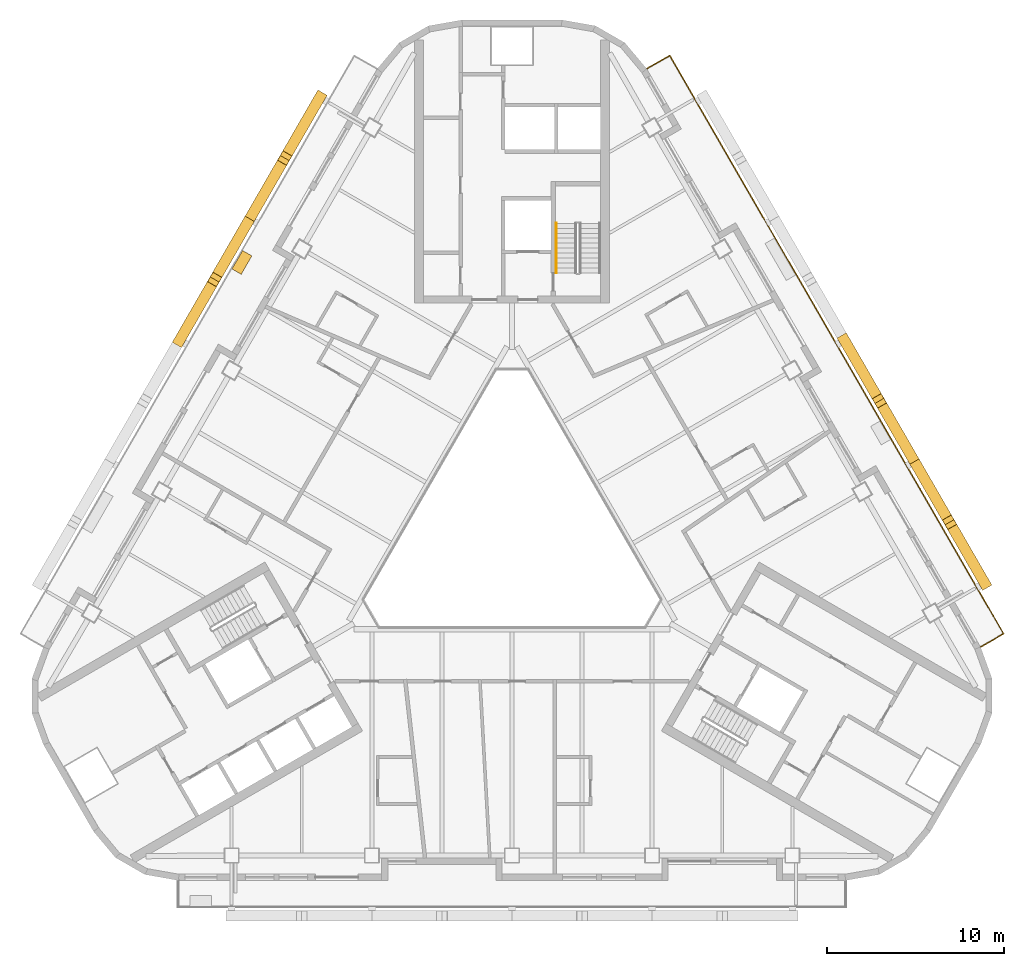
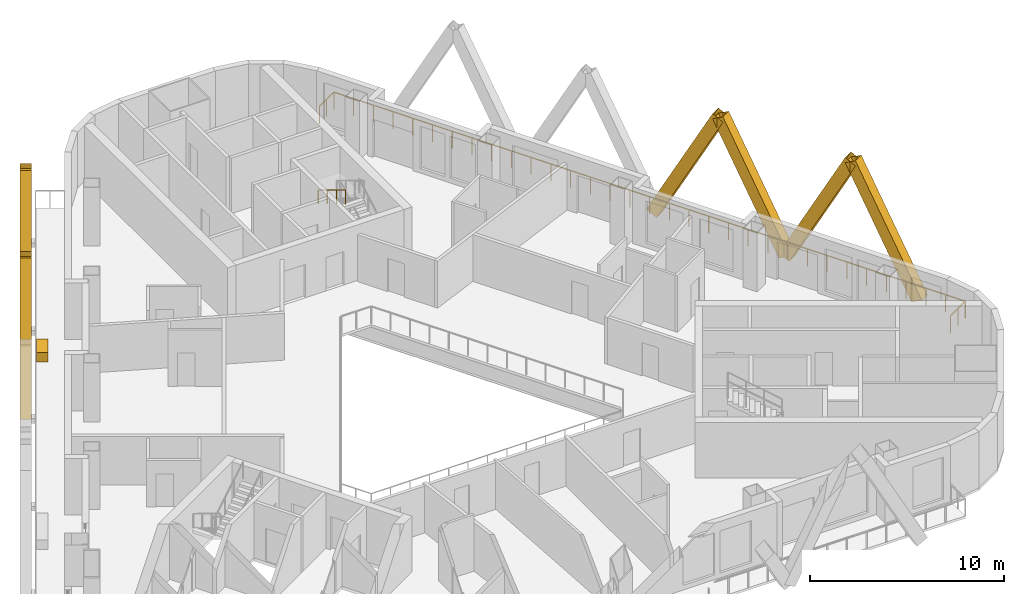
# One storey, part 12 of 13: 8 shading devices, 2 railings, 1 covering.
"""IFC4 building model written with IfcOpenShell, lengths in metres."""

from ifc_helpers import new_model, si_unit, direction, frame, origin, origin_2d, place, context, subcontext, project, spatial, rectangle, hollow_rectangle, circle, extrude, material, material_profile, profile_set, type_object, element, save


model = new_model("IFC4")

# Units and contexts
model_context = context("Model", 3, precision=1e-05, world=origin(), true_north=direction((0.0, 1.0)))
body_context = subcontext(model_context, "Body", "Model", "MODEL_VIEW")
ifc_project = project(units=[si_unit("LENGTHUNIT", "METRE"), si_unit("AREAUNIT", "SQUARE_METRE"), si_unit("VOLUMEUNIT", "CUBIC_METRE"), si_unit("PLANEANGLEUNIT", "RADIAN"), si_unit("MASSUNIT", "GRAM", prefix="KILO")], contexts=[model_context])

# Site, building, storey
site_placement = place(None, origin())
site = spatial("IfcSite", under=ifc_project, at=site_placement, CompositionType="ELEMENT")
building_placement = place(site_placement, origin())
building = spatial("IfcBuilding", under=site, at=building_placement, Name="Apuvela Tower Hotel", CompositionType="ELEMENT")
storey_placement = place(building_placement, frame((0.0, 0.0, 161.39990234375)))
storey = spatial("IfcBuildingStorey", under=building, at=storey_placement, Name="L38", CompositionType="ELEMENT", Elevation=161.39990234375)

# Railing
ifc_material_1 = material(Name="Stainless steel 316 handrail", Category="steel")
railing_type_1 = type_object("IfcRailingType", Name="COR-HANDRAIL-900", PredefinedType="HANDRAIL", material=ifc_material_1)
railing_1_placement = place(storey_placement, frame((2.5, 17.39990234375, 2.018310546875)))
element("IfcRailing", 1, at=railing_1_placement, inside=storey, type_object=railing_type_1, Name="L38 ST1 stair handrail 2", PredefinedType="HANDRAIL", context=body_context, shape_type="SweptSolid", body=[
    extrude(circle(Radius=0.02392578125, at=origin_2d()), frame((0.0, 0.0, 0.8759765625), z_axis=(0.0, -0.857222391501, 0.514946377315), x_axis=(1.0, 0.0, 0.0)), (0.0, 0.0, 1.0), 3.26611328125),
    extrude(rectangle(XDim=0.0419921875, YDim=0.0419921875, at=origin_2d()), origin(), (0.0, 0.0, 1.0), 0.851806640625),
    extrude(rectangle(XDim=0.0419921875, YDim=0.0419921875, at=origin_2d()), frame((0.0, -0.933349609375, 0.560546875)), (0.0, 0.0, 1.0), 0.851806640625),
    extrude(rectangle(XDim=0.0419921875, YDim=0.0419921875, at=origin_2d()), frame((0.0, -1.866455078125, 1.121337890625)), (0.0, 0.0, 1.0), 0.851806640625),
    extrude(rectangle(XDim=0.0419921875, YDim=0.0419921875, at=origin_2d()), frame((0.0, -2.7998046875, 1.681884765625)), (0.0, 0.0, 1.0), 0.851806640625),
])

# Shading devices
ifc_material_2 = material(Name="Aluminium 6063-T6, black anodised", Category="aluminium")
ifc_material_profile = material_profile(ifc_material_2, hollow_rectangle(XDim=0.60009765625, YDim=0.699951171875, WallThickness=0.011962890625, at=origin_2d()), Name="AL BOX 700x600x12")
ifc_profile_set = profile_set([ifc_material_profile], Name="Aluminium 6063-T6, black anodised")
shading_device_type = type_object("IfcShadingDeviceType", Name="ENV-FIN-700x600", PredefinedType="USERDEFINED", material=ifc_profile_set)
for number, where, z_axis, x_axis, name in (
    (2, (26.632080078125, -2.8681640625, -0.099853515625), (-0.235463880167, 0.407797827568, 0.882189148067), (-0.866005453737, -0.500034552904, 0.0), "Lattice fin NE353"),
    (3, (22.68212890625, 3.973388671875, -0.099853515625), (0.235433593518, -0.407824887177, 0.882184722404), (0.866047669374, 0.499961432884, 0.0), "Lattice fin NE354"),
    (4, (22.68212890625, 3.973388671875, -0.099853515625), (-0.235461085354, 0.407822092458, 0.882178677019), (-0.866020906874, -0.500007788796, 0.0), "Lattice fin NE355"),
):
    element("IfcShadingDevice", number, at=place(storey_placement, frame(where, z_axis=z_axis, x_axis=x_axis)), inside=storey, type_object=shading_device_type, Name=name, ObjectType="FIN", PredefinedType="USERDEFINED", context=body_context, shape_type="SweptSolid", body=[
        extrude(hollow_rectangle(XDim=0.60009765625, YDim=0.699951171875, WallThickness=0.011962890625, at=origin_2d()), origin(), (0.0, 0.0, 1.0), 8.38818359375),
    ])
shading_device_placement = place(storey_placement, frame((18.732177734375, 10.81494140625, -0.099853515625), z_axis=(0.235436388043, -0.407800622186, 0.882195193667), x_axis=(0.866032218625, 0.499988196164, 0.0)))
element("IfcShadingDevice", 5, at=shading_device_placement, inside=storey, type_object=shading_device_type, Name="Lattice fin NE356", ObjectType="FIN", PredefinedType="USERDEFINED", context=body_context, shape_type="SweptSolid", body=[
    extrude(hollow_rectangle(XDim=0.60009765625, YDim=0.699951171875, WallThickness=0.011962890625, at=origin_2d()), origin(), (0.0, 0.0, 1.0), 8.387939453125),
])
for number, where, z_axis, x_axis, name in (
    (6, (-10.83203125, 24.498291015625, -0.099853515625), (-0.235461085354, -0.407822092458, 0.882178677019), (0.866020906874, -0.500007788796, 0.0), "Lattice fin NW401"),
    (7, (-14.781982421875, 17.656494140625, -0.099853515625), (0.235433593518, 0.407824887177, 0.882184722404), (-0.866047669374, 0.499961432884, 0.0), "Lattice fin NW402"),
    (8, (-14.781982421875, 17.656494140625, -0.099853515625), (-0.235463880167, -0.407797827568, 0.882189148067), (0.866005453737, -0.500034552904, 0.0), "Lattice fin NW403"),
    (9, (-18.732177734375, 10.81494140625, -0.099853515625), (0.235461085354, 0.407822092458, 0.882178677019), (-0.866020906874, 0.500007788796, 0.0), "Lattice fin NW404"),
):
    element("IfcShadingDevice", number, at=place(storey_placement, frame(where, z_axis=z_axis, x_axis=x_axis)), inside=storey, type_object=shading_device_type, Name=name, ObjectType="FIN", PredefinedType="USERDEFINED", context=body_context, shape_type="SweptSolid", body=[
        extrude(hollow_rectangle(XDim=0.60009765625, YDim=0.699951171875, WallThickness=0.011962890625, at=origin_2d()), origin(), (0.0, 0.0, 1.0), 8.38818359375),
    ])

# Railing
ifc_material_3 = material(Name="Stainless steel 316 rail with laminated glass infill", Category="steel")
railing_type_2 = type_object("IfcRailingType", Name="ENV-GUARD-1100", PredefinedType="GUARDRAIL", material=ifc_material_3)
railing_2_placement = place(storey_placement, frame((26.407958984375, -6.47998046875, 0.0)))
element("IfcRailing", 10, at=railing_2_placement, inside=storey, type_object=railing_type_2, Name="Balcony guard NE L38", PredefinedType="GUARDRAIL", context=body_context, shape_type="SweptSolid", body=[
    extrude(rectangle(XDim=0.050048828125, YDim=0.050048828125, at=origin_2d()), frame((0.0, 0.0, 1.0751953125), z_axis=(0.866031096941, 0.499990139034, 0.0), x_axis=(-0.499990139034, 0.866031096941, 0.0)), (0.0, 0.0, 1.0), 1.5),
    extrude(rectangle(XDim=0.050048828125, YDim=0.050048828125, at=origin_2d()), frame((1.299072265625, 0.75, 1.0751953125), z_axis=(-0.500000437506, 0.86602515119, 0.0), x_axis=(-0.86602515119, -0.500000437506, 0.0)), (0.0, 0.0, 1.0), 37.6318359375),
    extrude(rectangle(XDim=0.050048828125, YDim=0.050048828125, at=origin_2d()), frame((-17.516845703125, 33.340087890625, 1.0751953125), z_axis=(-0.86599040064, -0.500060622324, 0.0), x_axis=(0.500060622324, -0.86599040064, 0.0)), (0.0, 0.0, 1.0), 1.499755859375),
    extrude(rectangle(XDim=0.0400390625, YDim=0.0400390625, at=origin_2d()), origin(), (0.0, 0.0, 1.0), 1.050048828125),
    extrude(rectangle(XDim=0.0400390625, YDim=0.0400390625, at=origin_2d()), frame((0.6494140625, 0.375, 0.0)), (0.0, 0.0, 1.0), 1.050048828125),
    extrude(rectangle(XDim=0.0400390625, YDim=0.0400390625, at=origin_2d()), frame((1.299072265625, 0.75, 0.0)), (0.0, 0.0, 1.0), 1.050048828125),
    extrude(rectangle(XDim=0.0400390625, YDim=0.0400390625, at=origin_2d()), frame((0.711181640625, 1.7685546875, 0.0)), (0.0, 0.0, 1.0), 1.050048828125),
    extrude(rectangle(XDim=0.0400390625, YDim=0.0400390625, at=origin_2d()), frame((0.123046875, 2.786865234375, 0.0)), (0.0, 0.0, 1.0), 1.050048828125),
    extrude(rectangle(XDim=0.0400390625, YDim=0.0400390625, at=origin_2d()), frame((-0.46484375, 3.805419921875, 0.0)), (0.0, 0.0, 1.0), 1.050048828125),
    extrude(rectangle(XDim=0.0400390625, YDim=0.0400390625, at=origin_2d()), frame((-1.052978515625, 4.82373046875, 0.0)), (0.0, 0.0, 1.0), 1.050048828125),
    extrude(rectangle(XDim=0.0400390625, YDim=0.0400390625, at=origin_2d()), frame((-1.640869140625, 5.84228515625, 0.0)), (0.0, 0.0, 1.0), 1.050048828125),
    extrude(rectangle(XDim=0.0400390625, YDim=0.0400390625, at=origin_2d()), frame((-2.22900390625, 6.860595703125, 0.0)), (0.0, 0.0, 1.0), 1.050048828125),
    extrude(rectangle(XDim=0.0400390625, YDim=0.0400390625, at=origin_2d()), frame((-2.81689453125, 7.879150390625, 0.0)), (0.0, 0.0, 1.0), 1.050048828125),
    extrude(rectangle(XDim=0.0400390625, YDim=0.0400390625, at=origin_2d()), frame((-3.40478515625, 8.8974609375, 0.0)), (0.0, 0.0, 1.0), 1.050048828125),
    extrude(rectangle(XDim=0.0400390625, YDim=0.0400390625, at=origin_2d()), frame((-3.992919921875, 9.916015625, 0.0)), (0.0, 0.0, 1.0), 1.050048828125),
    extrude(rectangle(XDim=0.0400390625, YDim=0.0400390625, at=origin_2d()), frame((-4.580810546875, 10.934326171875, 0.0)), (0.0, 0.0, 1.0), 1.050048828125),
    extrude(rectangle(XDim=0.0400390625, YDim=0.0400390625, at=origin_2d()), frame((-5.1689453125, 11.952880859375, 0.0)), (0.0, 0.0, 1.0), 1.050048828125),
    extrude(rectangle(XDim=0.0400390625, YDim=0.0400390625, at=origin_2d()), frame((-5.7568359375, 12.97119140625, 0.0)), (0.0, 0.0, 1.0), 1.050048828125),
    extrude(rectangle(XDim=0.0400390625, YDim=0.0400390625, at=origin_2d()), frame((-6.344970703125, 13.98974609375, 0.0)), (0.0, 0.0, 1.0), 1.050048828125),
    extrude(rectangle(XDim=0.0400390625, YDim=0.0400390625, at=origin_2d()), frame((-6.932861328125, 15.008056640625, 0.0)), (0.0, 0.0, 1.0), 1.050048828125),
    extrude(rectangle(XDim=0.0400390625, YDim=0.0400390625, at=origin_2d()), frame((-7.52099609375, 16.026611328125, 0.0)), (0.0, 0.0, 1.0), 1.050048828125),
    extrude(rectangle(XDim=0.0400390625, YDim=0.0400390625, at=origin_2d()), frame((-8.10888671875, 17.044921875, 0.0)), (0.0, 0.0, 1.0), 1.050048828125),
    extrude(rectangle(XDim=0.0400390625, YDim=0.0400390625, at=origin_2d()), frame((-8.69677734375, 18.0634765625, 0.0)), (0.0, 0.0, 1.0), 1.050048828125),
    extrude(rectangle(XDim=0.0400390625, YDim=0.0400390625, at=origin_2d()), frame((-9.284912109375, 19.08203125, 0.0)), (0.0, 0.0, 1.0), 1.050048828125),
    extrude(rectangle(XDim=0.0400390625, YDim=0.0400390625, at=origin_2d()), frame((-9.872802734375, 20.100341796875, 0.0)), (0.0, 0.0, 1.0), 1.050048828125),
    extrude(rectangle(XDim=0.0400390625, YDim=0.0400390625, at=origin_2d()), frame((-10.4609375, 21.118896484375, 0.0)), (0.0, 0.0, 1.0), 1.050048828125),
    extrude(rectangle(XDim=0.0400390625, YDim=0.0400390625, at=origin_2d()), frame((-11.048828125, 22.13720703125, 0.0)), (0.0, 0.0, 1.0), 1.050048828125),
    extrude(rectangle(XDim=0.0400390625, YDim=0.0400390625, at=origin_2d()), frame((-11.636962890625, 23.15576171875, 0.0)), (0.0, 0.0, 1.0), 1.050048828125),
    extrude(rectangle(XDim=0.0400390625, YDim=0.0400390625, at=origin_2d()), frame((-12.224853515625, 24.174072265625, 0.0)), (0.0, 0.0, 1.0), 1.050048828125),
    extrude(rectangle(XDim=0.0400390625, YDim=0.0400390625, at=origin_2d()), frame((-12.81298828125, 25.192626953125, 0.0)), (0.0, 0.0, 1.0), 1.050048828125),
    extrude(rectangle(XDim=0.0400390625, YDim=0.0400390625, at=origin_2d()), frame((-13.40087890625, 26.2109375, 0.0)), (0.0, 0.0, 1.0), 1.050048828125),
    extrude(rectangle(XDim=0.0400390625, YDim=0.0400390625, at=origin_2d()), frame((-13.98876953125, 27.2294921875, 0.0)), (0.0, 0.0, 1.0), 1.050048828125),
    extrude(rectangle(XDim=0.0400390625, YDim=0.0400390625, at=origin_2d()), frame((-14.576904296875, 28.247802734375, 0.0)), (0.0, 0.0, 1.0), 1.050048828125),
    extrude(rectangle(XDim=0.0400390625, YDim=0.0400390625, at=origin_2d()), frame((-15.164794921875, 29.266357421875, 0.0)), (0.0, 0.0, 1.0), 1.050048828125),
    extrude(rectangle(XDim=0.0400390625, YDim=0.0400390625, at=origin_2d()), frame((-15.7529296875, 30.28466796875, 0.0)), (0.0, 0.0, 1.0), 1.050048828125),
    extrude(rectangle(XDim=0.0400390625, YDim=0.0400390625, at=origin_2d()), frame((-16.3408203125, 31.30322265625, 0.0)), (0.0, 0.0, 1.0), 1.050048828125),
    extrude(rectangle(XDim=0.0400390625, YDim=0.0400390625, at=origin_2d()), frame((-16.928955078125, 32.321533203125, 0.0)), (0.0, 0.0, 1.0), 1.050048828125),
    extrude(rectangle(XDim=0.0400390625, YDim=0.0400390625, at=origin_2d()), frame((-17.516845703125, 33.340087890625, 0.0)), (0.0, 0.0, 1.0), 1.050048828125),
    extrude(rectangle(XDim=0.0400390625, YDim=0.0400390625, at=origin_2d()), frame((-18.166259765625, 32.965087890625, 0.0)), (0.0, 0.0, 1.0), 1.050048828125),
    extrude(rectangle(XDim=0.0400390625, YDim=0.0400390625, at=origin_2d()), frame((-18.815673828125, 32.590087890625, 0.0)), (0.0, 0.0, 1.0), 1.050048828125),
])

# Covering
ifc_material_4 = material(Name="Planting substrate and soil, planted")
covering_type = type_object("IfcCoveringType", Name="ENV-PLANTER-1200x600", PredefinedType="USERDEFINED", material=ifc_material_4)
covering_placement = place(storey_placement, frame((-15.220947265625, 15.196533203125, 0.0), z_axis=(0.0, 0.0, 1.0), x_axis=(-0.5, -0.866025403784, 0.0)))
element("IfcCovering", 11, at=covering_placement, inside=storey, type_object=covering_type, Name="Planter NW4", ObjectType="PLANTER", PredefinedType="USERDEFINED", context=body_context, shape_type="SweptSolid", body=[
    extrude(rectangle(XDim=1.199951171875, YDim=0.60009765625, at=origin_2d()), origin(), (0.0, 0.0, 1.0), 0.60009765625),
])

save(model, "model.ifc")
